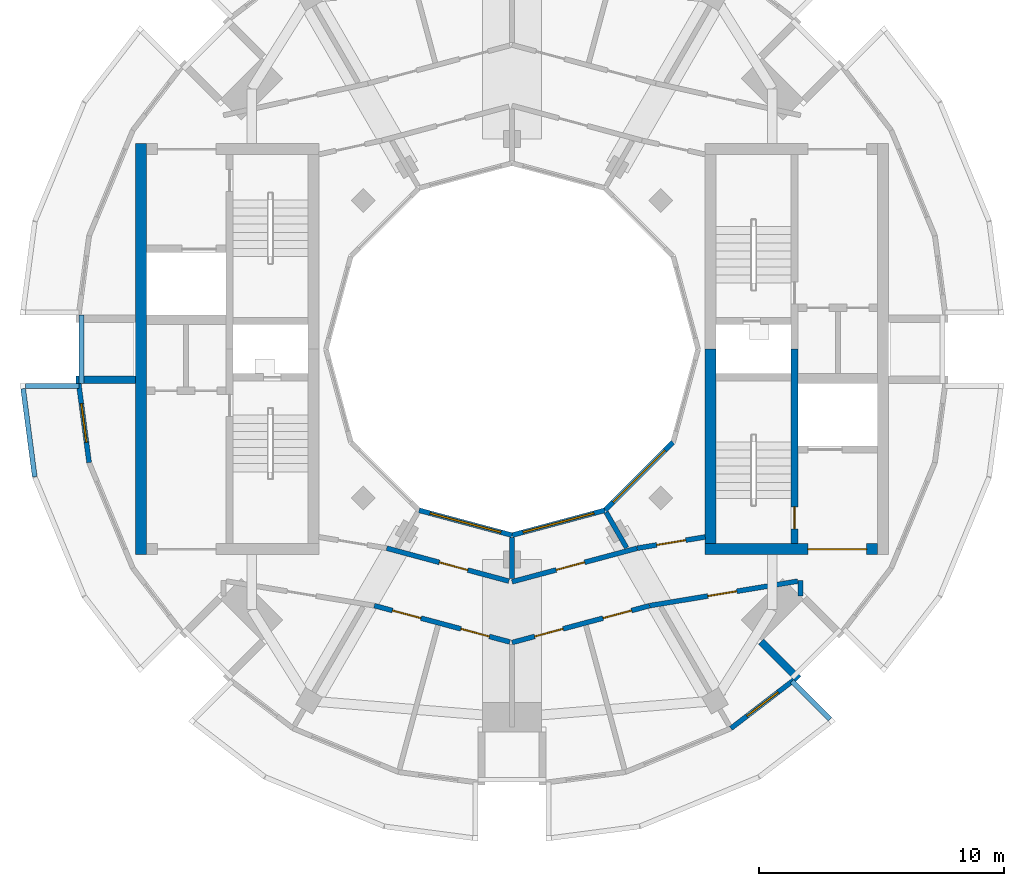
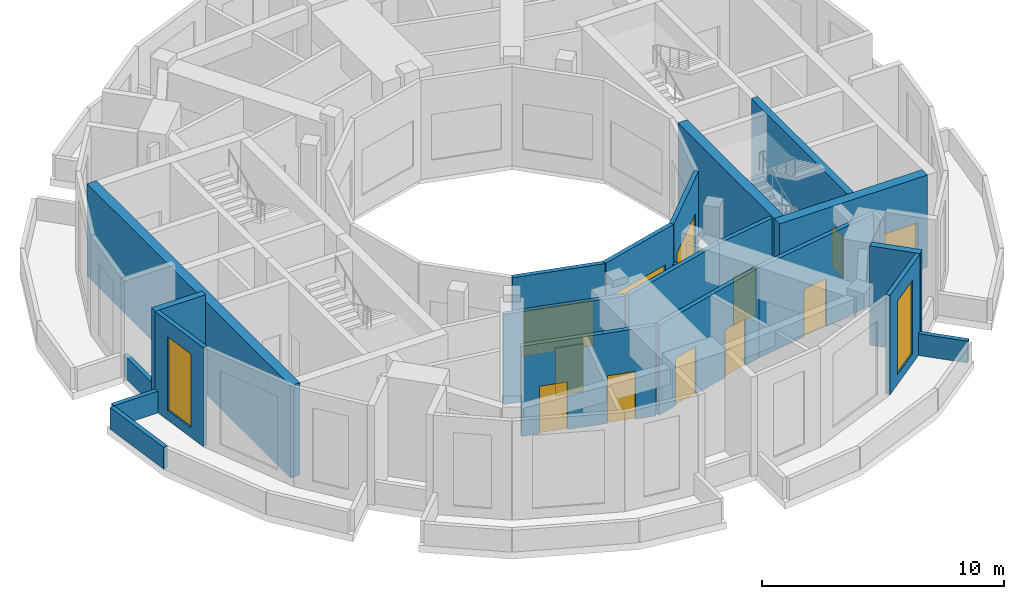
# One storey, part 3 of 8: 24 walls, 10 doors, 5 windows, 15 openings.
"""IFC4 building model written with IfcOpenShell, lengths in metres."""

import ifcopenshell
import ifcopenshell.guid

model = None  # the IFC model being written
_history = None  # IfcOwnerHistory: only IFC2X3 demands one
_inside = {}  # id of a spatial element -> (the spatial element, [elements in it])
_under = {}  # id of a project, library or spatial element -> (it, [spatial elements below it])
_declared = {}  # id of a project -> (the project, [libraries it declares])
_typed = {}  # id of a type object -> (the type object, [elements of that type])
_made_of = {}  # id of a material, layer set ... -> (it, [elements and type objects made of it])


def new_model(schema):
    """Start an empty IFC model of exactly this schema.

    Asked for "IFC4X3", IfcOpenShell would pick the latest addendum, in which some entities
    have other attributes; the version numbers below select the first issue.
    IFC2X3 requires an IfcOwnerHistory on every rooted entity: one is made here for all.
    """
    global model, _history
    if schema == "IFC4X3":
        model = ifcopenshell.file(schema_version=(4, 3, 0, 0))
    else:
        model = ifcopenshell.file(schema=schema)
    _inside.clear()
    _under.clear()
    _declared.clear()
    _typed.clear()
    _made_of.clear()
    _history = None
    if model.schema == "IFC2X3":
        org = make("IfcOrganization", Name="unknown")
        user = make(
            "IfcPersonAndOrganization",
            ThePerson=make("IfcPerson", FamilyName="unknown"),
            TheOrganization=org,
        )
        app = make(
            "IfcApplication",
            ApplicationDeveloper=org,
            Version="unknown",
            ApplicationFullName="unknown",
            ApplicationIdentifier="unknown",
        )
        _history = make(
            "IfcOwnerHistory",
            OwningUser=user,
            OwningApplication=app,
            ChangeAction="ADDED",
            CreationDate=0,
        )
    return model


def make(cls, **values):
    """One entity of the class cls with the attributes given. An attribute that is None is left unset."""
    return model.create_entity(
        cls, **{name: value for name, value in values.items() if value is not None}
    )


def rooted(cls, **values):
    """An entity with a GlobalId (a new one), such as an element, a storey or a relation."""
    return make(cls, GlobalId=ifcopenshell.guid.new(), OwnerHistory=_history, **values)


def si_unit(unit_type, name, prefix=None):
    """IfcSIUnit, for example si_unit("LENGTHUNIT", "METRE", prefix="MILLI")."""
    return make("IfcSIUnit", UnitType=unit_type, Prefix=prefix, Name=name)


def assignment(units):
    """IfcUnitAssignment: the units of a project."""
    return None if units is None else make("IfcUnitAssignment", Units=units)


def point(xyz):
    """IfcCartesianPoint."""
    return None if xyz is None else make("IfcCartesianPoint", Coordinates=xyz)


def direction(xyz):
    """IfcDirection."""
    return None if xyz is None else make("IfcDirection", DirectionRatios=xyz)


def frame(location, z_axis=None, x_axis=None):
    """IfcAxis2Placement3D, a coordinate frame: its origin and axes. An axis left out is left unset."""
    return make(
        "IfcAxis2Placement3D",
        Location=point(location),
        Axis=direction(z_axis),
        RefDirection=direction(x_axis),
    )


def frame_2d(location, x_axis=None):
    """IfcAxis2Placement2D, a coordinate frame in the plane: its origin and x axis."""
    return make(
        "IfcAxis2Placement2D", Location=point(location), RefDirection=direction(x_axis)
    )


def origin():
    """The frame at (0, 0, 0) with its axes left unset."""
    return frame((0.0, 0.0, 0.0))


def place(relative_to, where):
    """IfcLocalPlacement: puts the frame where relative to a parent placement (None: the world)."""
    return make(
        "IfcLocalPlacement", PlacementRelTo=relative_to, RelativePlacement=where
    )


def context(
    kind, dimensions, precision=None, world=None, true_north=None, identifier=None
):
    """IfcGeometricRepresentationContext, for example the 3D "Model" context."""
    return make(
        "IfcGeometricRepresentationContext",
        ContextIdentifier=identifier,
        ContextType=kind,
        CoordinateSpaceDimension=dimensions,
        Precision=precision,
        WorldCoordinateSystem=world,
        TrueNorth=true_north,
    )


def subcontext(parent, identifier, kind, view, scale=None):
    """IfcGeometricRepresentationSubContext, for example "Body" below "Model"."""
    return make(
        "IfcGeometricRepresentationSubContext",
        ContextIdentifier=identifier,
        ContextType=kind,
        ParentContext=parent,
        TargetScale=scale,
        TargetView=view,
    )


def project(units=None, contexts=None):
    """IfcProject with its units and contexts."""
    return rooted(
        "IfcProject",
        Name="project",
        RepresentationContexts=contexts,
        UnitsInContext=assignment(units),
    )


def spatial(cls, under=None, at=None, **own):
    """A site, building, storey or space (cls), placed at a placement, below another one or the project."""
    s = rooted(cls, ObjectPlacement=at, **own)
    if under is not None:
        _under.setdefault(under.id(), (under, []))[1].append(s)
    return s


def profile(cls, at=None, kind="AREA", **sizes):
    """A parametric profile (cls). Its sizes go by their IFC names, for example OverallWidth=200.0."""
    return make(cls, ProfileType=kind, Position=at, **sizes)


def rectangle(**sizes):
    """IfcRectangleProfileDef."""
    return profile("IfcRectangleProfileDef", **sizes)


def extrude(swept, where, along, depth):
    """IfcExtrudedAreaSolid: the profile swept, set in the frame where, extruded along a direction by depth."""
    return make(
        "IfcExtrudedAreaSolid",
        SweptArea=swept,
        Position=where,
        ExtrudedDirection=direction(along),
        Depth=depth,
    )


def shape(context_of_items, identifier, shape_type, items):
    """IfcShapeRepresentation: the items that make up one representation, for example the "Body"."""
    return make(
        "IfcShapeRepresentation",
        ContextOfItems=context_of_items,
        RepresentationIdentifier=identifier,
        RepresentationType=shape_type,
        Items=items,
    )


def material(Name=None, Category=None):
    """IfcMaterial."""
    return make("IfcMaterial", Name=Name, Category=Category)


def layer(
    of_material, thickness, ventilated=None, Name=None, Category=None, Priority=None
):
    """IfcMaterialLayer: one layer of a wall or slab, of a material (None: an air gap)."""
    return make(
        "IfcMaterialLayer",
        Material=of_material,
        LayerThickness=thickness,
        IsVentilated=ventilated,
        Name=Name,
        Category=Category,
        Priority=Priority,
    )


def layer_set(layers, Name=None):
    """IfcMaterialLayerSet."""
    return make("IfcMaterialLayerSet", MaterialLayers=layers, LayerSetName=Name)


def made_of(thing, what):
    """Note that an element or type object is made of a material, layer set ...; save() writes the relation."""
    if what is not None:
        _made_of.setdefault(what.id(), (what, []))[1].append(thing)
    return thing


def type_object(cls, material=None, **own):
    """A type object (cls), such as IfcWallType, which elements share."""
    return made_of(rooted(cls, **own), material)


def element(
    cls,
    number,
    at=None,
    inside=None,
    cuts=None,
    type_object=None,
    material=None,
    context=None,
    identifier="Body",
    shape_type=None,
    held_by="IfcProductDefinitionShape",
    body=None,
    shapes=None,
    **own,
):
    """One element of the class cls, such as IfcWall. Its Tag is "e" and its number.

    at: its placement. inside: the storey or other place that contains it. cuts: it is an
    opening in that element (IfcRelVoidsElement). A single representation is given by context,
    identifier, shape_type and body (its items); several are given by shapes. held_by: the class
    of the entity that holds the representations. save() writes the other relations.
    """
    e = rooted(cls, Tag="e%d" % number, ObjectPlacement=at, **own)
    if body is not None:
        shapes = [shape(context, identifier, shape_type, body)]
    if shapes is not None:
        e.Representation = make(held_by, Representations=shapes)
    if inside is not None:
        _inside.setdefault(inside.id(), (inside, []))[1].append(e)
    if cuts is not None:
        rooted(
            "IfcRelVoidsElement", RelatingBuildingElement=cuts, RelatedOpeningElement=e
        )
    if type_object is not None:
        _typed.setdefault(type_object.id(), (type_object, []))[1].append(e)
    return made_of(e, material)


def fill(opening, filler):
    """IfcRelFillsElement: the door or window that sits in an opening."""
    return rooted(
        "IfcRelFillsElement",
        RelatingOpeningElement=opening,
        RelatedBuildingElement=filler,
    )


def aggregate(whole, parts):
    """IfcRelAggregates: a whole, such as a stair, and the parts it consists of."""
    return rooted("IfcRelAggregates", RelatingObject=whole, RelatedObjects=parts)


def save(model, path):
    """Write the relations noted so far, then the file.

    IfcRelAggregates (storeys below a building ...), IfcRelContainedInSpatialStructure (elements
    in a storey), IfcRelDefinesByType, IfcRelAssociatesMaterial and IfcRelDeclares: one each for
    every whole, place, type object, material and project.
    """
    for whole, parts in _under.values():
        aggregate(whole, parts)
    for where, things in _inside.values():
        rooted(
            "IfcRelContainedInSpatialStructure",
            RelatedElements=things,
            RelatingStructure=where,
        )
    for kind, things in _typed.values():
        rooted("IfcRelDefinesByType", RelatedObjects=things, RelatingType=kind)
    for what, things in _made_of.values():
        rooted("IfcRelAssociatesMaterial", RelatedObjects=things, RelatingMaterial=what)
    for by, libraries in _declared.values():
        rooted("IfcRelDeclares", RelatingContext=by, RelatedDefinitions=libraries)
    model.write(path)


model = new_model("IFC4")

# Units and contexts
model_context = context("Model", 3, precision=1e-05, world=origin(), true_north=direction((0.0, 1.0)))
body_context = subcontext(model_context, "Body", "Model", "MODEL_VIEW")
ifc_project = project(units=[si_unit("LENGTHUNIT", "METRE"), si_unit("AREAUNIT", "SQUARE_METRE"), si_unit("VOLUMEUNIT", "CUBIC_METRE"), si_unit("PLANEANGLEUNIT", "RADIAN"), si_unit("MASSUNIT", "GRAM", prefix="KILO")], contexts=[model_context])

# Site, building, storey
site_placement = place(None, origin())
site = spatial("IfcSite", under=ifc_project, at=site_placement, CompositionType="ELEMENT")
building_placement = place(site_placement, origin())
building = spatial("IfcBuilding", under=site, at=building_placement, Name="Torre Brocal", CompositionType="ELEMENT")
storey_placement = place(building_placement, frame((0.0, 0.0, 328.10009765625)))
storey = spatial("IfcBuildingStorey", under=building, at=storey_placement, Name="L75", CompositionType="ELEMENT", Elevation=328.10009765625)

# Wall, opening, door
ifc_material_1 = material(Name="Concrete C50", Category="concrete")
ifc_layer_1 = layer(ifc_material_1, 0.300048828125)
ifc_layer_set_1 = layer_set([ifc_layer_1], Name="Concrete C50")
wall_type_1 = type_object("IfcWallType", Name="CORE WALL 300 C50 UNDER 350 SLAB", PredefinedType="SHEAR", material=ifc_layer_set_1)
wall_1_placement = place(storey_placement, frame((91.550048828125, 67.050048828125, 0.0), z_axis=(0.0, 0.0, 1.0), x_axis=(0.0, 1.0, 0.0)))
wall_1 = element("IfcWall", 1, at=wall_1_placement, inside=storey, type_object=wall_type_1, Name="Wall CW300-50-S350", PredefinedType="SHEAR", context=body_context, shape_type="SweptSolid", body=[
    extrude(rectangle(XDim=7.949951171875, YDim=0.300048828125, at=frame_2d((3.97509765625, 0.0))), origin(), (0.0, 0.0, 1.0), 4.64990234375),
])
opening_1_placement = place(wall_1_placement, frame((0.60009765625, 0.0, 0.0)))
opening_1 = element("IfcOpeningElement", 2, at=opening_1_placement, cuts=wall_1, Name="Opening E-D03", PredefinedType="OPENING", context=body_context, shape_type="SweptSolid", body=[
    extrude(rectangle(XDim=0.89990234375, YDim=2.10009765625, at=frame_2d((0.449951171875, 1.050048828125))), frame((0.0, 0.159912109375, 0.0), z_axis=(0.0, -1.0, 0.0), x_axis=(1.0, 0.0, 0.0)), (0.0, 0.0, 1.0), 0.320068359375),
])
ifc_material_2 = material(Name="Steel A653", Category="steel")
door_type_1 = type_object("IfcDoorType", Name="STAIR DOOR FD120 900X2100", OperationType="SINGLE_SWING_RIGHT", PredefinedType="DOOR", material=ifc_material_2)
door_1_placement = place(opening_1_placement, origin())
door_1 = element("IfcDoor", 3, at=door_1_placement, inside=storey, type_object=door_type_1, Name="Door E-D03", OperationType="SINGLE_SWING_LEFT", OverallHeight=2.10009765625, OverallWidth=0.89990234375, PredefinedType="DOOR", context=body_context, shape_type="SweptSolid", body=[
    extrude(rectangle(XDim=0.89990234375, YDim=2.10009765625, at=frame_2d((0.449951171875, 1.050048828125))), frame((0.0, 0.02490234375, 0.0), z_axis=(0.0, -1.0, 0.0), x_axis=(1.0, 0.0, 0.0)), (0.0, 0.0, 1.0), 0.050048828125),
])
fill(opening_1, door_1)

ifc_material_3 = material(Name="Concrete C50", Category="concrete")
ifc_layer_2 = layer(ifc_material_3, 0.449951171875)
ifc_layer_set_2 = layer_set([ifc_layer_2], Name="Concrete C50")
wall_type_2 = type_object("IfcWallType", Name="CORE WALL 450 C50 UNDER 350 SLAB", PredefinedType="SHEAR", material=ifc_layer_set_2)
wall_2_placement = place(storey_placement, frame((87.89990234375, 66.824951171875, 0.0), z_axis=(0.0, 0.0, 1.0), x_axis=(1.0, 0.0, 0.0)))
wall_2 = element("IfcWall", 4, at=wall_2_placement, inside=storey, type_object=wall_type_2, Name="Wall CW450-50-S350", PredefinedType="SHEAR", context=body_context, shape_type="SweptSolid", body=[
    extrude(rectangle(XDim=7.050048828125, YDim=0.449951171875, at=frame_2d((3.52490234375, 0.0))), origin(), (0.0, 0.0, 1.0), 4.64990234375),
])
opening_2_placement = place(wall_2_placement, frame((4.199951171875, 0.0, 0.0)))
opening_2 = element("IfcOpeningElement", 5, at=opening_2_placement, cuts=wall_2, Name="Opening E-D24", PredefinedType="OPENING", context=body_context, shape_type="SweptSolid", body=[
    extrude(rectangle(XDim=2.39990234375, YDim=2.39990234375, at=frame_2d((1.199951171875, 1.199951171875))), frame((0.0, 0.23486328125, 0.0), z_axis=(0.0, -1.0, 0.0), x_axis=(1.0, 0.0, 0.0)), (0.0, 0.0, 1.0), 0.469970703125),
])
ifc_material_4 = material(Name="Steel A653", Category="steel")
door_type_2 = type_object("IfcDoorType", Name="DOUBLE FIRE DOOR FD90 2400X2400", OperationType="DOUBLE_DOOR_SINGLE_SWING", PredefinedType="DOOR", material=ifc_material_4)
door_2_placement = place(opening_2_placement, origin())
door_2 = element("IfcDoor", 6, at=door_2_placement, inside=storey, type_object=door_type_2, Name="Door E-D24", OperationType="DOUBLE_DOOR_SINGLE_SWING", OverallHeight=2.39990234375, OverallWidth=2.39990234375, PredefinedType="DOOR", context=body_context, shape_type="SweptSolid", body=[
    extrude(rectangle(XDim=2.39990234375, YDim=2.39990234375, at=frame_2d((1.199951171875, 1.199951171875))), frame((0.0, 0.02490234375, 0.0), z_axis=(0.0, -1.0, 0.0), x_axis=(1.0, 0.0, 0.0)), (0.0, 0.0, 1.0), 0.050048828125),
])
fill(opening_2, door_2)

# Walls
wall_3_placement = place(storey_placement, frame((88.125, 67.050048828125, 0.0), z_axis=(0.0, 0.0, 1.0), x_axis=(0.0, 1.0, 0.0)))
element("IfcWall", 7, at=wall_3_placement, inside=storey, type_object=wall_type_2, Name="Wall CW450-50-S350", PredefinedType="SHEAR", context=body_context, shape_type="SweptSolid", body=[
    extrude(rectangle(XDim=7.949951171875, YDim=0.449951171875, at=frame_2d((3.97509765625, 0.0))), origin(), (0.0, 0.0, 1.0), 4.64990234375),
])
wall_4_placement = place(storey_placement, frame((64.824951171875, 83.39990234375, 0.0), z_axis=(0.0, 0.0, 1.0), x_axis=(0.0, -1.0, 0.0)))
element("IfcWall", 8, at=wall_4_placement, inside=storey, type_object=wall_type_2, Name="Wall CW450-50-S350", PredefinedType="SHEAR", context=body_context, shape_type="SweptSolid", body=[
    extrude(rectangle(XDim=16.7998046875, YDim=0.449951171875, at=frame_2d((8.39990234375, 0.0))), origin(), (0.0, 0.0, 1.0), 4.64990234375),
])

# Wall, opening, window
ifc_material_5 = material(Name="Concrete C40", Category="concrete")
ifc_layer_3 = layer(ifc_material_5, 0.199951171875)
ifc_layer_set_3 = layer_set([ifc_layer_3], Name="Concrete C40")
wall_type_3 = type_object("IfcWallType", Name="LOUVRED PLANT WALL 200", PredefinedType="NOTDEFINED", material=ifc_layer_set_3)
wall_5_placement = place(storey_placement, frame((62.28515625, 73.60009765625, 0.0), z_axis=(0.0, 0.0, 1.0), x_axis=(0.130510682886, -0.991446903093, 0.0)))
wall_5 = element("IfcWall", 9, at=wall_5_placement, inside=storey, type_object=wall_type_3, Name="LOUVRED PLANT WALL", PredefinedType="NOTDEFINED", context=body_context, shape_type="SweptSolid", body=[
    extrude(rectangle(XDim=3.260498046875, YDim=0.199951171875, at=frame_2d((1.63037109375, 0.0))), origin(), (0.0, 0.0, 1.0), 5.0),
])
opening_3_placement = place(wall_5_placement, frame((0.830322265625, 0.0, 0.5)))
opening_3 = element("IfcOpeningElement", 10, at=opening_3_placement, cuts=wall_5, Name="Opening LV-1600-3700", PredefinedType="OPENING", context=body_context, shape_type="SweptSolid", body=[
    extrude(rectangle(XDim=1.60009765625, YDim=3.699951171875, at=frame_2d((0.800048828125, 1.85009765625))), frame((0.0, 0.10986328125, 0.0), z_axis=(0.0, -1.0, 0.0), x_axis=(1.0, 0.0, 0.0)), (0.0, 0.0, 1.0), 0.219970703125),
])
ifc_material_6 = material(Name="Aluminium louvre", Category="aluminium")
window_type_1 = type_object("IfcWindowType", Name="LOUVRE PANEL 1600X3700", PartitioningType="SINGLE_PANEL", PredefinedType="USERDEFINED", material=ifc_material_6)
window_1_placement = place(opening_3_placement, origin())
window_1 = element("IfcWindow", 11, at=window_1_placement, inside=storey, type_object=window_type_1, Name="LOUVRE PANEL 1600X3700", ObjectType="LOUVRE", OverallHeight=3.699951171875, OverallWidth=1.60009765625, PartitioningType="SINGLE_PANEL", PredefinedType="USERDEFINED", context=body_context, shape_type="SweptSolid", body=[
    extrude(rectangle(XDim=1.60009765625, YDim=3.699951171875, at=frame_2d((0.800048828125, 1.85009765625))), frame((0.0, 0.030029296875, 0.0), z_axis=(0.0, -1.0, 0.0), x_axis=(1.0, 0.0, 0.0)), (0.0, 0.0, 1.0), 0.06005859375),
])
fill(opening_3, window_1)

wall_6_placement = place(storey_placement, frame((88.949462890625, 59.498779296875, 0.0), z_axis=(0.0, 0.0, 1.0), x_axis=(0.793338759003, 0.608780431243, 0.0)))
wall_6 = element("IfcWall", 12, at=wall_6_placement, inside=storey, type_object=wall_type_3, Name="LOUVRED PLANT WALL", PredefinedType="NOTDEFINED", context=body_context, shape_type="SweptSolid", body=[
    extrude(rectangle(XDim=3.2607421875, YDim=0.199951171875, at=frame_2d((1.63037109375, 0.0))), origin(), (0.0, 0.0, 1.0), 5.0),
])
opening_4_placement = place(wall_6_placement, frame((0.830322265625, 0.0, 0.5)))
opening_4 = element("IfcOpeningElement", 13, at=opening_4_placement, cuts=wall_6, Name="Opening LV-1600-3700", PredefinedType="OPENING", context=body_context, shape_type="SweptSolid", body=[
    extrude(rectangle(XDim=1.60009765625, YDim=3.699951171875, at=frame_2d((0.800048828125, 1.85009765625))), frame((0.0, 0.10986328125, 0.0), z_axis=(0.0, -1.0, 0.0), x_axis=(1.0, 0.0, 0.0)), (0.0, 0.0, 1.0), 0.219970703125),
])
window_2_placement = place(opening_4_placement, origin())
window_2 = element("IfcWindow", 14, at=window_2_placement, inside=storey, type_object=window_type_1, Name="LOUVRE PANEL 1600X3700", ObjectType="LOUVRE", OverallHeight=3.699951171875, OverallWidth=1.60009765625, PartitioningType="SINGLE_PANEL", PredefinedType="USERDEFINED", context=body_context, shape_type="SweptSolid", body=[
    extrude(rectangle(XDim=1.60009765625, YDim=3.699951171875, at=frame_2d((0.800048828125, 1.85009765625))), frame((0.0, 0.030029296875, 0.0), z_axis=(0.0, -1.0, 0.0), x_axis=(1.0, 0.0, 0.0)), (0.0, 0.0, 1.0), 0.06005859375),
])
fill(opening_4, window_2)

# Walls
ifc_material_7 = material(Name="Concrete C50", Category="concrete")
ifc_layer_4 = layer(ifc_material_7, 0.300048828125)
ifc_layer_set_4 = layer_set([ifc_layer_4], Name="Concrete C50")
wall_type_4 = type_object("IfcWallType", Name="NOTCH RETURN WALL 300 C50", PredefinedType="NOTDEFINED", material=ifc_layer_set_4)
wall_7_placement = place(storey_placement, frame((64.60009765625, 73.75, 0.0), z_axis=(0.0, 0.0, 1.0), x_axis=(-1.0, 0.0, 0.0)))
element("IfcWall", 15, at=wall_7_placement, inside=storey, type_object=wall_type_4, Name="NOTCH RETURN WALL", PredefinedType="NOTDEFINED", context=body_context, shape_type="SweptSolid", body=[
    extrude(rectangle(XDim=2.415771484375, YDim=0.300048828125, at=frame_2d((1.2080078125, 0.0))), origin(), (0.0, 0.0, 1.0), 5.0),
])
wall_8_placement = place(storey_placement, frame((90.182373046875, 63.0498046875, 0.0), z_axis=(0.0, 0.0, 1.0), x_axis=(0.707106781187, -0.707106781187, 0.0)))
element("IfcWall", 16, at=wall_8_placement, inside=storey, type_object=wall_type_4, Name="NOTCH RETURN WALL", PredefinedType="NOTDEFINED", context=body_context, shape_type="SweptSolid", body=[
    extrude(rectangle(XDim=2.16552734375, YDim=0.300048828125, at=frame_2d((1.082763671875, 0.0))), origin(), (0.0, 0.0, 1.0), 5.0),
])
ifc_material_8 = material(Name="Concrete C40", Category="concrete")
ifc_layer_5 = layer(ifc_material_8, 0.199951171875)
ifc_layer_set_5 = layer_set([ifc_layer_5], Name="Concrete C40")
wall_type_5 = type_object("IfcWallType", Name="PARAPET WALL 200 THICK 1100 HIGH 4", PredefinedType="PARAPET", material=ifc_layer_set_5)
wall_9_placement = place(storey_placement, frame((91.455078125, 61.423583984375, 0.0), z_axis=(0.0, 0.0, 1.0), x_axis=(0.707106781187, -0.707106781187, 0.0)))
element("IfcWall", 17, at=wall_9_placement, inside=storey, type_object=wall_type_5, Name="PARAPET WALL 11", PredefinedType="PARAPET", context=body_context, shape_type="SweptSolid", body=[
    extrude(rectangle(XDim=2.185791015625, YDim=0.199951171875, at=frame_2d((1.0927734375, 0.0))), origin(), (0.0, 0.0, 1.0), 1.099853515625),
])
wall_10_placement = place(storey_placement, frame((60.489013671875, 69.78564453125, 0.0), z_axis=(0.0, 0.0, 1.0), x_axis=(-0.130525796353, 0.991444913491, 0.0)))
element("IfcWall", 18, at=wall_10_placement, inside=storey, type_object=wall_type_5, Name="PARAPET WALL 26", PredefinedType="PARAPET", context=body_context, shape_type="SweptSolid", body=[
    extrude(rectangle(XDim=3.63232421875, YDim=0.199951171875, at=frame_2d((1.816162109375, 0.0))), origin(), (0.0, 0.0, 1.0), 1.099853515625),
])
wall_11_placement = place(storey_placement, frame((60.114013671875, 73.5, 0.0), z_axis=(0.0, 0.0, 1.0), x_axis=(1.0, 0.0, 0.0)))
element("IfcWall", 19, at=wall_11_placement, inside=storey, type_object=wall_type_5, Name="PARAPET WALL 27", PredefinedType="PARAPET", context=body_context, shape_type="SweptSolid", body=[
    extrude(rectangle(XDim=2.18603515625, YDim=0.199951171875, at=frame_2d((1.093017578125, 0.0))), origin(), (0.0, 0.0, 1.0), 1.099853515625),
])
wall_12_placement = place(storey_placement, frame((62.39990234375, 73.60009765625, 0.0), z_axis=(0.0, 0.0, 1.0), x_axis=(0.0, 1.0, 0.0)))
element("IfcWall", 20, at=wall_12_placement, inside=storey, type_object=wall_type_5, Name="PARAPET WALL 28", PredefinedType="PARAPET", context=body_context, shape_type="SweptSolid", body=[
    extrude(rectangle(XDim=2.7998046875, YDim=0.199951171875, at=frame_2d((1.39990234375, 0.0))), origin(), (0.0, 0.0, 1.0), 1.099853515625),
])

# Wall, openings, doors
ifc_material_9 = material(Name="Masonry block", Category="masonry")
ifc_layer_6 = layer(ifc_material_9, 0.199951171875)
ifc_layer_set_6 = layer_set([ifc_layer_6], Name="Masonry block")
wall_type_6 = type_object("IfcWallType", Name="PARTITION 200 EI120", PredefinedType="PARTITIONING", material=ifc_layer_set_6)
wall_13_placement = place(storey_placement, frame((74.37109375, 64.51611328125, 0.0), z_axis=(0.0, 0.0, 1.0), x_axis=(0.965919939759, -0.258841012932, 0.0)))
wall_13 = element("IfcWall", 21, at=wall_13_placement, inside=storey, type_object=wall_type_6, Name="PLANT ROOM WALL", PredefinedType="PARTITIONING", context=body_context, shape_type="SweptSolid", body=[
    extrude(rectangle(XDim=5.737548828125, YDim=0.199951171875, at=frame_2d((2.86865234375, 0.0))), origin(), (0.0, 0.0, 1.0), 4.5498046875),
])
opening_5_placement = place(wall_13_placement, frame((3.665771484375, 0.0, 0.0)))
opening_5 = element("IfcOpeningElement", 22, at=opening_5_placement, cuts=wall_13, Name="Opening X4-D14", PredefinedType="OPENING", context=body_context, shape_type="SweptSolid", body=[
    extrude(rectangle(XDim=1.199951171875, YDim=2.39990234375, at=frame_2d((0.60009765625, 1.199951171875))), frame((0.0, 0.10986328125, 0.0), z_axis=(0.0, -1.0, 0.0), x_axis=(1.0, 0.0, 0.0)), (0.0, 0.0, 1.0), 0.219970703125),
])
opening_6_placement = place(wall_13_placement, frame((0.771728515625, 0.0, 0.0)))
opening_6 = element("IfcOpeningElement", 23, at=opening_6_placement, cuts=wall_13, Name="Opening X4-D15", PredefinedType="OPENING", context=body_context, shape_type="SweptSolid", body=[
    extrude(rectangle(XDim=1.199951171875, YDim=2.39990234375, at=frame_2d((0.60009765625, 1.199951171875))), frame((0.0, 0.10986328125, 0.0), z_axis=(0.0, -1.0, 0.0), x_axis=(1.0, 0.0, 0.0)), (0.0, 0.0, 1.0), 0.219970703125),
])
ifc_material_10 = material(Name="Steel A653", Category="steel")
door_type_3 = type_object("IfcDoorType", Name="PLANT DOOR FD90 1200X2400", OperationType="SINGLE_SWING_RIGHT", PredefinedType="DOOR", material=ifc_material_10)
door_3_placement = place(opening_5_placement, frame((1.199951171875, 0.0, 0.0), z_axis=(0.0, 0.0, 1.0), x_axis=(-1.0, 0.0, 0.0)))
door_3 = element("IfcDoor", 24, at=door_3_placement, inside=storey, type_object=door_type_3, Name="X4-D14", OperationType="SINGLE_SWING_RIGHT", OverallHeight=2.39990234375, OverallWidth=1.199951171875, PredefinedType="DOOR", context=body_context, shape_type="SweptSolid", body=[
    extrude(rectangle(XDim=1.199951171875, YDim=2.39990234375, at=frame_2d((0.60009765625, 1.199951171875))), frame((0.0, 0.02490234375, 0.0), z_axis=(0.0, -1.0, 0.0), x_axis=(1.0, 0.0, 0.0)), (0.0, 0.0, 1.0), 0.050048828125),
])
fill(opening_5, door_3)
door_4_placement = place(opening_6_placement, frame((1.199951171875, 0.0, 0.0), z_axis=(0.0, 0.0, 1.0), x_axis=(-1.0, 0.0, 0.0)))
door_4 = element("IfcDoor", 25, at=door_4_placement, inside=storey, type_object=door_type_3, Name="X4-D15", OperationType="SINGLE_SWING_LEFT", OverallHeight=2.39990234375, OverallWidth=1.199951171875, PredefinedType="DOOR", context=body_context, shape_type="SweptSolid", body=[
    extrude(rectangle(XDim=1.199951171875, YDim=2.39990234375, at=frame_2d((0.60009765625, 1.199951171875))), frame((0.0, 0.02490234375, 0.0), z_axis=(0.0, -1.0, 0.0), x_axis=(1.0, 0.0, 0.0)), (0.0, 0.0, 1.0), 0.050048828125),
])
fill(opening_6, door_4)

# Wall, opening, door
wall_14_placement = place(storey_placement, frame((74.87890625, 66.864990234375, 0.0), z_axis=(0.0, 0.0, 1.0), x_axis=(0.965504002874, -0.260388211013, 0.0)))
wall_14 = element("IfcWall", 26, at=wall_14_placement, inside=storey, type_object=wall_type_6, Name="PLANT ROOM WALL", PredefinedType="PARTITIONING", context=body_context, shape_type="SweptSolid", body=[
    extrude(rectangle(XDim=5.171875, YDim=0.199951171875, at=frame_2d((2.5859375, 0.0))), origin(), (0.0, 0.0, 1.0), 4.5498046875),
])
opening_7_placement = place(wall_14_placement, frame((2.23095703125, 0.0, 0.0)))
opening_7 = element("IfcOpeningElement", 27, at=opening_7_placement, cuts=wall_14, Name="Opening X4-D19", PredefinedType="OPENING", context=body_context, shape_type="SweptSolid", body=[
    extrude(rectangle(XDim=1.199951171875, YDim=2.39990234375, at=frame_2d((0.60009765625, 1.199951171875))), frame((0.0, 0.10986328125, 0.0), z_axis=(0.0, -1.0, 0.0), x_axis=(1.0, 0.0, 0.0)), (0.0, 0.0, 1.0), 0.219970703125),
])
door_5_placement = place(opening_7_placement, origin())
door_5 = element("IfcDoor", 28, at=door_5_placement, inside=storey, type_object=door_type_3, Name="X4-D19", OperationType="SINGLE_SWING_LEFT", OverallHeight=2.39990234375, OverallWidth=1.199951171875, PredefinedType="DOOR", context=body_context, shape_type="SweptSolid", body=[
    extrude(rectangle(XDim=1.199951171875, YDim=2.39990234375, at=frame_2d((0.60009765625, 1.199951171875))), frame((0.0, 0.02490234375, 0.0), z_axis=(0.0, -1.0, 0.0), x_axis=(1.0, 0.0, 0.0)), (0.0, 0.0, 1.0), 0.050048828125),
])
fill(opening_7, door_5)

# Wall, openings, doors
wall_15_placement = place(storey_placement, frame((80.0, 63.008056640625, 0.0), z_axis=(0.0, 0.0, 1.0), x_axis=(0.96595086089, 0.258725596619, 0.0)))
wall_15 = element("IfcWall", 29, at=wall_15_placement, inside=storey, type_object=wall_type_6, Name="PLANT ROOM WALL", PredefinedType="PARTITIONING", context=body_context, shape_type="SweptSolid", body=[
    extrude(rectangle(XDim=5.8173828125, YDim=0.199951171875, at=frame_2d((2.90869140625, 0.0))), origin(), (0.0, 0.0, 1.0), 4.5498046875),
])
opening_8_placement = place(wall_15_placement, frame((3.855712890625, 0.0, 0.0)))
opening_8 = element("IfcOpeningElement", 30, at=opening_8_placement, cuts=wall_15, Name="Opening X4-D12", PredefinedType="OPENING", context=body_context, shape_type="SweptSolid", body=[
    extrude(rectangle(XDim=1.199951171875, YDim=2.39990234375, at=frame_2d((0.60009765625, 1.199951171875))), frame((0.0, 0.10986328125, 0.0), z_axis=(0.0, -1.0, 0.0), x_axis=(1.0, 0.0, 0.0)), (0.0, 0.0, 1.0), 0.219970703125),
])
opening_9_placement = place(wall_15_placement, frame((0.961669921875, 0.0, 0.0)))
opening_9 = element("IfcOpeningElement", 31, at=opening_9_placement, cuts=wall_15, Name="Opening X4-D13", PredefinedType="OPENING", context=body_context, shape_type="SweptSolid", body=[
    extrude(rectangle(XDim=1.199951171875, YDim=2.39990234375, at=frame_2d((0.60009765625, 1.199951171875))), frame((0.0, 0.10986328125, 0.0), z_axis=(0.0, -1.0, 0.0), x_axis=(1.0, 0.0, 0.0)), (0.0, 0.0, 1.0), 0.219970703125),
])
door_6_placement = place(opening_8_placement, frame((1.199951171875, 0.0, 0.0), z_axis=(0.0, 0.0, 1.0), x_axis=(-1.0, 0.0, 0.0)))
door_6 = element("IfcDoor", 32, at=door_6_placement, inside=storey, type_object=door_type_3, Name="X4-D12", OperationType="SINGLE_SWING_RIGHT", OverallHeight=2.39990234375, OverallWidth=1.199951171875, PredefinedType="DOOR", context=body_context, shape_type="SweptSolid", body=[
    extrude(rectangle(XDim=1.199951171875, YDim=2.39990234375, at=frame_2d((0.60009765625, 1.199951171875))), frame((0.0, 0.02490234375, 0.0), z_axis=(0.0, -1.0, 0.0), x_axis=(1.0, 0.0, 0.0)), (0.0, 0.0, 1.0), 0.050048828125),
])
fill(opening_8, door_6)
door_7_placement = place(opening_9_placement, frame((1.199951171875, 0.0, 0.0), z_axis=(0.0, 0.0, 1.0), x_axis=(-1.0, 0.0, 0.0)))
door_7 = element("IfcDoor", 33, at=door_7_placement, inside=storey, type_object=door_type_3, Name="X4-D13", OperationType="SINGLE_SWING_LEFT", OverallHeight=2.39990234375, OverallWidth=1.199951171875, PredefinedType="DOOR", context=body_context, shape_type="SweptSolid", body=[
    extrude(rectangle(XDim=1.199951171875, YDim=2.39990234375, at=frame_2d((0.60009765625, 1.199951171875))), frame((0.0, 0.02490234375, 0.0), z_axis=(0.0, -1.0, 0.0), x_axis=(1.0, 0.0, 0.0)), (0.0, 0.0, 1.0), 0.050048828125),
])
fill(opening_9, door_7)

# Wall, opening, door
wall_16_placement = place(storey_placement, frame((80.0, 65.4921875, 0.0), z_axis=(0.0, 0.0, 1.0), x_axis=(0.965926428831, 0.258816796377, 0.0)))
wall_16 = element("IfcWall", 34, at=wall_16_placement, inside=storey, type_object=wall_type_6, Name="PLANT ROOM WALL", PredefinedType="PARTITIONING", context=body_context, shape_type="SweptSolid", body=[
    extrude(rectangle(XDim=5.2919921875, YDim=0.199951171875, at=frame_2d((2.64599609375, 0.0))), origin(), (0.0, 0.0, 1.0), 4.5498046875),
])
opening_10_placement = place(wall_16_placement, frame((1.870849609375, 0.0, 0.0)))
opening_10 = element("IfcOpeningElement", 35, at=opening_10_placement, cuts=wall_16, Name="Opening X4-D18", PredefinedType="OPENING", context=body_context, shape_type="SweptSolid", body=[
    extrude(rectangle(XDim=1.199951171875, YDim=2.39990234375, at=frame_2d((0.60009765625, 1.199951171875))), frame((0.0, 0.10986328125, 0.0), z_axis=(0.0, -1.0, 0.0), x_axis=(1.0, 0.0, 0.0)), (0.0, 0.0, 1.0), 0.219970703125),
])
door_8_placement = place(opening_10_placement, origin())
door_8 = element("IfcDoor", 36, at=door_8_placement, inside=storey, type_object=door_type_3, Name="X4-D18", OperationType="SINGLE_SWING_RIGHT", OverallHeight=2.39990234375, OverallWidth=1.199951171875, PredefinedType="DOOR", context=body_context, shape_type="SweptSolid", body=[
    extrude(rectangle(XDim=1.199951171875, YDim=2.39990234375, at=frame_2d((0.60009765625, 1.199951171875))), frame((0.0, 0.02490234375, 0.0), z_axis=(0.0, -1.0, 0.0), x_axis=(1.0, 0.0, 0.0)), (0.0, 0.0, 1.0), 0.050048828125),
])
fill(opening_10, door_8)

wall_17_placement = place(storey_placement, frame((85.12109375, 66.864990234375, 0.0), z_axis=(0.0, 0.0, 1.0), x_axis=(0.986631847158, 0.162965021319, 0.0)))
wall_17 = element("IfcWall", 37, at=wall_17_placement, inside=storey, type_object=wall_type_6, Name="PLANT ROOM WALL", PredefinedType="PARTITIONING", context=body_context, shape_type="SweptSolid", body=[
    extrude(rectangle(XDim=2.81640625, YDim=0.199951171875, at=frame_2d((1.408203125, 0.0))), origin(), (0.0, 0.0, 1.0), 4.5498046875),
])
opening_11_placement = place(wall_17_placement, frame((0.808349609375, 0.0, 0.0)))
opening_11 = element("IfcOpeningElement", 38, at=opening_11_placement, cuts=wall_17, Name="Opening X4-D17", PredefinedType="OPENING", context=body_context, shape_type="SweptSolid", body=[
    extrude(rectangle(XDim=1.199951171875, YDim=2.39990234375, at=frame_2d((0.60009765625, 1.199951171875))), frame((0.0, 0.10986328125, 0.0), z_axis=(0.0, -1.0, 0.0), x_axis=(1.0, 0.0, 0.0)), (0.0, 0.0, 1.0), 0.219970703125),
])
door_9_placement = place(opening_11_placement, origin())
door_9 = element("IfcDoor", 39, at=door_9_placement, inside=storey, type_object=door_type_3, Name="X4-D17", OperationType="SINGLE_SWING_RIGHT", OverallHeight=2.39990234375, OverallWidth=1.199951171875, PredefinedType="DOOR", context=body_context, shape_type="SweptSolid", body=[
    extrude(rectangle(XDim=1.199951171875, YDim=2.39990234375, at=frame_2d((0.60009765625, 1.199951171875))), frame((0.0, 0.02490234375, 0.0), z_axis=(0.0, -1.0, 0.0), x_axis=(1.0, 0.0, 0.0)), (0.0, 0.0, 1.0), 0.050048828125),
])
fill(opening_11, door_9)

wall_18_placement = place(storey_placement, frame((85.62890625, 64.51611328125, 0.0), z_axis=(0.0, 0.0, 1.0), x_axis=(0.986633833025, 0.162952997919, 0.0)))
wall_18 = element("IfcWall", 40, at=wall_18_placement, inside=storey, type_object=wall_type_6, Name="PLANT ROOM WALL", PredefinedType="PARTITIONING", context=body_context, shape_type="SweptSolid", body=[
    extrude(rectangle(XDim=6.1337890625, YDim=0.199951171875, at=frame_2d((3.06689453125, 0.0))), origin(), (0.0, 0.0, 1.0), 4.5498046875),
])
opening_12_placement = place(wall_18_placement, frame((2.413818359375, 0.0, 0.0)))
opening_12 = element("IfcOpeningElement", 41, at=opening_12_placement, cuts=wall_18, Name="Opening X4-D11", PredefinedType="OPENING", context=body_context, shape_type="SweptSolid", body=[
    extrude(rectangle(XDim=1.199951171875, YDim=2.39990234375, at=frame_2d((0.60009765625, 1.199951171875))), frame((0.0, 0.10986328125, 0.0), z_axis=(0.0, -1.0, 0.0), x_axis=(1.0, 0.0, 0.0)), (0.0, 0.0, 1.0), 0.219970703125),
])
door_10_placement = place(opening_12_placement, frame((1.199951171875, 0.0, 0.0), z_axis=(0.0, 0.0, 1.0), x_axis=(-1.0, 0.0, 0.0)))
door_10 = element("IfcDoor", 42, at=door_10_placement, inside=storey, type_object=door_type_3, Name="X4-D11", OperationType="SINGLE_SWING_RIGHT", OverallHeight=2.39990234375, OverallWidth=1.199951171875, PredefinedType="DOOR", context=body_context, shape_type="SweptSolid", body=[
    extrude(rectangle(XDim=1.199951171875, YDim=2.39990234375, at=frame_2d((0.60009765625, 1.199951171875))), frame((0.0, 0.02490234375, 0.0), z_axis=(0.0, -1.0, 0.0), x_axis=(1.0, 0.0, 0.0)), (0.0, 0.0, 1.0), 0.050048828125),
])
fill(opening_12, door_10)

# Walls
wall_19_placement = place(storey_placement, frame((91.800048828125, 64.910888671875, 0.0), z_axis=(0.0, 0.0, 1.0), x_axis=(0.0, 1.0, 0.0)))
element("IfcWall", 43, at=wall_19_placement, inside=storey, type_object=wall_type_6, Name="PLANT ROOM WALL", PredefinedType="PARTITIONING", context=body_context, shape_type="SweptSolid", body=[
    extrude(rectangle(XDim=0.6240234375, YDim=0.199951171875, at=frame_2d((0.31201171875, 0.0))), origin(), (0.0, 0.0, 1.0), 4.5498046875),
])
ifc_material_11 = material(Name="Masonry block", Category="masonry")
ifc_layer_7 = layer(ifc_material_11, 0.199951171875)
ifc_layer_set_7 = layer_set([ifc_layer_7], Name="Masonry block")
wall_type_7 = type_object("IfcWallType", Name="PARTITION 200 EI120 UNDER BEAM 1750", PredefinedType="PARTITIONING", material=ifc_layer_set_7)
wall_20_placement = place(storey_placement, frame((80.0, 65.6220703125, 0.0), z_axis=(0.0, 0.0, 1.0), x_axis=(0.0, 1.0, 0.0)))
element("IfcWall", 44, at=wall_20_placement, inside=storey, type_object=wall_type_7, Name="PLANT ROOM WALL", PredefinedType="PARTITIONING", context=body_context, shape_type="SweptSolid", body=[
    extrude(rectangle(XDim=1.678955078125, YDim=0.199951171875, at=frame_2d((0.83935546875, 0.0))), origin(), (0.0, 0.0, 1.0), 3.25),
])
ifc_material_12 = material(Name="Masonry block", Category="masonry")
ifc_layer_8 = layer(ifc_material_12, 0.199951171875)
ifc_layer_set_8 = layer_set([ifc_layer_8], Name="Masonry block")
wall_type_8 = type_object("IfcWallType", Name="PARTITION 200 EI120 UNDER BEAM 1950", PredefinedType="PARTITIONING", material=ifc_layer_set_8)
wall_21_placement = place(storey_placement, frame((83.84765625, 68.332275390625, 0.0), z_axis=(0.0, 0.0, 1.0), x_axis=(0.499923853111, -0.866069362748, 0.0)))
element("IfcWall", 45, at=wall_21_placement, inside=storey, type_object=wall_type_8, Name="PLANT ROOM WALL", PredefinedType="PARTITIONING", context=body_context, shape_type="SweptSolid", body=[
    extrude(rectangle(XDim=1.678955078125, YDim=0.199951171875, at=frame_2d((0.83935546875, 0.0))), origin(), (0.0, 0.0, 1.0), 3.0498046875),
])

# Wall, opening, window
ifc_material_13 = material(Name="Concrete C40", Category="concrete")
ifc_layer_9 = layer(ifc_material_13, 0.199951171875)
ifc_layer_set_9 = layer_set([ifc_layer_9], Name="Concrete C40")
wall_type_9 = type_object("IfcWallType", Name="WELL FACADE WALL 200", PredefinedType="NOTDEFINED", material=ifc_layer_set_9)
wall_22_placement = place(storey_placement, frame((76.1982421875, 68.4150390625, 0.0), z_axis=(0.0, 0.0, 1.0), x_axis=(0.965933654434, -0.258789828301, 0.0)))
wall_22 = element("IfcWall", 46, at=wall_22_placement, inside=storey, type_object=wall_type_9, Name="WELL FACADE WALL", PredefinedType="NOTDEFINED", context=body_context, shape_type="SweptSolid", body=[
    extrude(rectangle(XDim=3.935791015625, YDim=0.199951171875, at=frame_2d((1.9677734375, 0.0))), origin(), (0.0, 0.0, 1.0), 5.0),
])
opening_13_placement = place(wall_22_placement, frame((0.468017578125, 0.0, 0.89990234375)))
opening_13 = element("IfcOpeningElement", 47, at=opening_13_placement, cuts=wall_22, Name="Opening W1", PredefinedType="OPENING", context=body_context, shape_type="SweptSolid", body=[
    extrude(rectangle(XDim=3.0, YDim=2.300048828125, at=frame_2d((1.5, 1.14990234375))), frame((0.0, 0.10986328125, 0.0), z_axis=(0.0, -1.0, 0.0), x_axis=(1.0, 0.0, 0.0)), (0.0, 0.0, 1.0), 0.219970703125),
])
ifc_material_14 = material(Name="Aluminium and glass", Category="aluminium")
window_type_2 = type_object("IfcWindowType", Name="WELL WINDOW 3000X2300", PartitioningType="SINGLE_PANEL", PredefinedType="WINDOW", material=ifc_material_14)
window_3_placement = place(opening_13_placement, origin())
window_3 = element("IfcWindow", 48, at=window_3_placement, inside=storey, type_object=window_type_2, Name="WELL WINDOW 3000X2300", OverallHeight=2.300048828125, OverallWidth=3.0, PartitioningType="SINGLE_PANEL", PredefinedType="WINDOW", context=body_context, shape_type="SweptSolid", body=[
    extrude(rectangle(XDim=3.0, YDim=2.300048828125, at=frame_2d((1.5, 1.14990234375))), frame((0.0, 0.030029296875, 0.0), z_axis=(0.0, -1.0, 0.0), x_axis=(1.0, 0.0, 0.0)), (0.0, 0.0, 1.0), 0.06005859375),
])
fill(opening_13, window_3)

wall_23_placement = place(storey_placement, frame((80.0, 67.396484375, 0.0), z_axis=(0.0, 0.0, 1.0), x_axis=(0.965933654434, 0.258789828301, 0.0)))
wall_23 = element("IfcWall", 49, at=wall_23_placement, inside=storey, type_object=wall_type_9, Name="WELL FACADE WALL", PredefinedType="NOTDEFINED", context=body_context, shape_type="SweptSolid", body=[
    extrude(rectangle(XDim=3.935791015625, YDim=0.199951171875, at=frame_2d((1.9677734375, 0.0))), origin(), (0.0, 0.0, 1.0), 5.0),
])
opening_14_placement = place(wall_23_placement, frame((0.468017578125, 0.0, 0.89990234375)))
opening_14 = element("IfcOpeningElement", 50, at=opening_14_placement, cuts=wall_23, Name="Opening W1", PredefinedType="OPENING", context=body_context, shape_type="SweptSolid", body=[
    extrude(rectangle(XDim=3.0, YDim=2.300048828125, at=frame_2d((1.5, 1.14990234375))), frame((0.0, 0.10986328125, 0.0), z_axis=(0.0, -1.0, 0.0), x_axis=(1.0, 0.0, 0.0)), (0.0, 0.0, 1.0), 0.219970703125),
])
window_4_placement = place(opening_14_placement, origin())
window_4 = element("IfcWindow", 51, at=window_4_placement, inside=storey, type_object=window_type_2, Name="WELL WINDOW 3000X2300", OverallHeight=2.300048828125, OverallWidth=3.0, PartitioningType="SINGLE_PANEL", PredefinedType="WINDOW", context=body_context, shape_type="SweptSolid", body=[
    extrude(rectangle(XDim=3.0, YDim=2.300048828125, at=frame_2d((1.5, 1.14990234375))), frame((0.0, 0.030029296875, 0.0), z_axis=(0.0, -1.0, 0.0), x_axis=(1.0, 0.0, 0.0)), (0.0, 0.0, 1.0), 0.06005859375),
])
fill(opening_14, window_4)

wall_24_placement = place(storey_placement, frame((83.8017578125, 68.4150390625, 0.0), z_axis=(0.0, 0.0, 1.0), x_axis=(0.707106781187, 0.707106781187, 0.0)))
wall_24 = element("IfcWall", 52, at=wall_24_placement, inside=storey, type_object=wall_type_9, Name="WELL FACADE WALL", PredefinedType="NOTDEFINED", context=body_context, shape_type="SweptSolid", body=[
    extrude(rectangle(XDim=3.93603515625, YDim=0.199951171875, at=frame_2d((1.968017578125, 0.0))), origin(), (0.0, 0.0, 1.0), 5.0),
])
opening_15_placement = place(wall_24_placement, frame((0.468017578125, 0.0, 0.89990234375)))
opening_15 = element("IfcOpeningElement", 53, at=opening_15_placement, cuts=wall_24, Name="Opening W1", PredefinedType="OPENING", context=body_context, shape_type="SweptSolid", body=[
    extrude(rectangle(XDim=3.0, YDim=2.300048828125, at=frame_2d((1.5, 1.14990234375))), frame((0.0, 0.10986328125, 0.0), z_axis=(0.0, -1.0, 0.0), x_axis=(1.0, 0.0, 0.0)), (0.0, 0.0, 1.0), 0.219970703125),
])
window_5_placement = place(opening_15_placement, origin())
window_5 = element("IfcWindow", 54, at=window_5_placement, inside=storey, type_object=window_type_2, Name="WELL WINDOW 3000X2300", OverallHeight=2.300048828125, OverallWidth=3.0, PartitioningType="SINGLE_PANEL", PredefinedType="WINDOW", context=body_context, shape_type="SweptSolid", body=[
    extrude(rectangle(XDim=3.0, YDim=2.300048828125, at=frame_2d((1.5, 1.14990234375))), frame((0.0, 0.030029296875, 0.0), z_axis=(0.0, -1.0, 0.0), x_axis=(1.0, 0.0, 0.0)), (0.0, 0.0, 1.0), 0.06005859375),
])
fill(opening_15, window_5)

save(model, "model.ifc")
